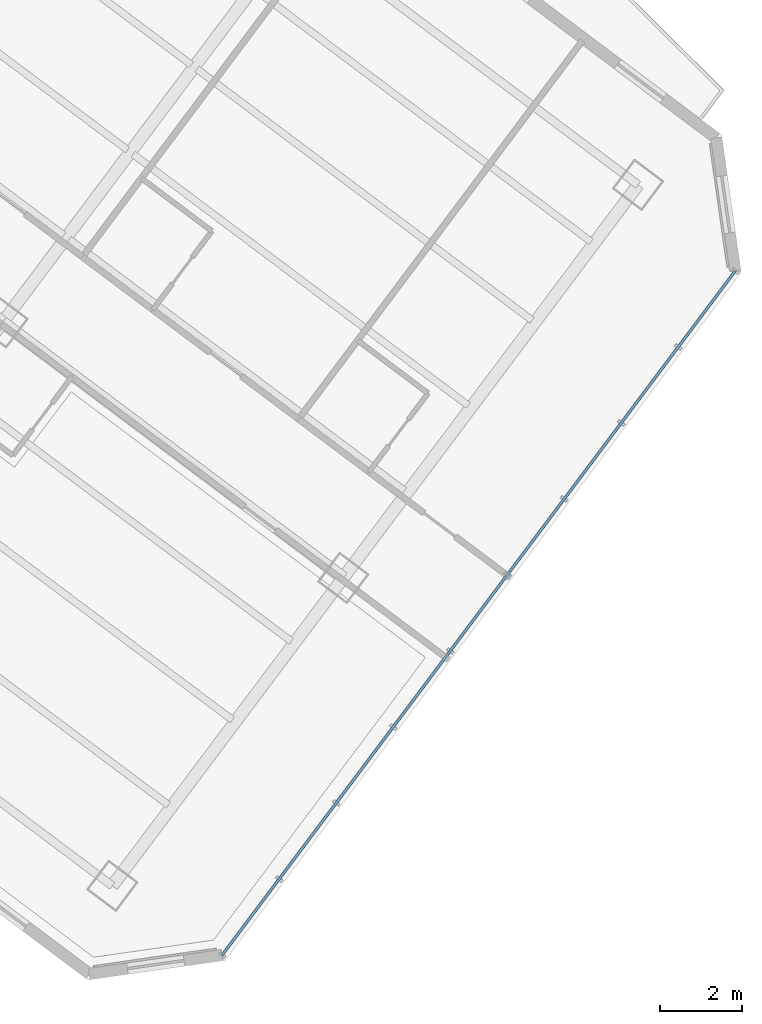
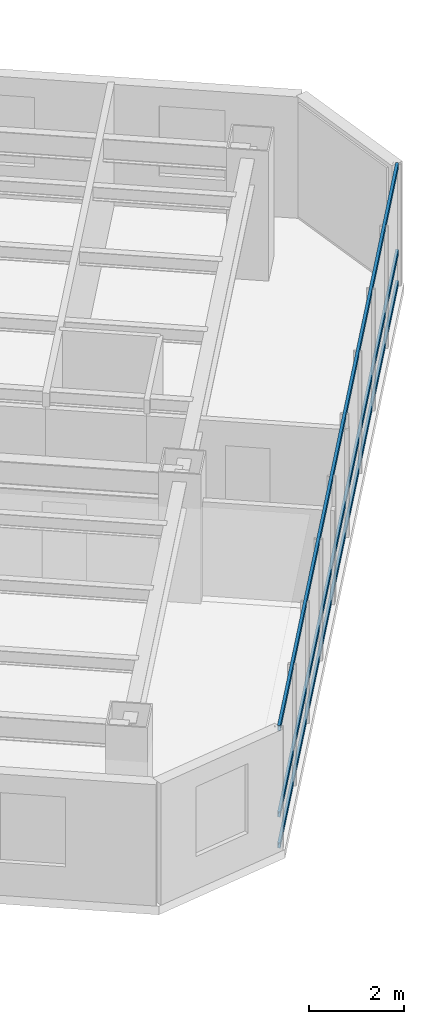
# One storey, part 9 of 31: 3 members, 1 element without a shape of its own.
"""IFC4 building model written with IfcOpenShell, lengths in metres."""

from ifc_helpers import new_model, si_unit, direction, frame, origin, origin_2d, place, context, subcontext, project, spatial, hollow_rectangle, extrude, material, layer, layer_set, material_profile, profile_set, type_object, element, aggregate, save


model = new_model("IFC4")

# Units and contexts
model_context = context("Model", 3, precision=1e-05, world=origin(), true_north=direction((0.0, 1.0)))
body_context = subcontext(model_context, "Body", "Model", "MODEL_VIEW")
ifc_project = project(units=[si_unit("LENGTHUNIT", "METRE"), si_unit("AREAUNIT", "SQUARE_METRE"), si_unit("VOLUMEUNIT", "CUBIC_METRE"), si_unit("PLANEANGLEUNIT", "RADIAN"), si_unit("MASSUNIT", "GRAM", prefix="KILO")], contexts=[model_context])

# Site, building, storey
site_placement = place(None, origin())
site = spatial("IfcSite", under=ifc_project, at=site_placement, CompositionType="ELEMENT")
building_placement = place(site_placement, origin())
building = spatial("IfcBuilding", under=site, at=building_placement, Name="Hatsunagi Terrace Concourse", CompositionType="ELEMENT")
storey_placement = place(building_placement, frame((0.0, 0.0, 77.949951171875)))
storey = spatial("IfcBuildingStorey", under=building, at=storey_placement, Name="L20", CompositionType="ELEMENT", Elevation=77.949951171875)

# Curtain wall, members
ifc_material_1 = material(Name="Anodised Aluminium Alloy 6063-T5", Category="aluminium")
ifc_layer = layer(ifc_material_1, 0.199951171875)
ifc_layer_set = layer_set([ifc_layer], Name="HotelFacade_CW02")
curtain_wall_type = type_object("IfcCurtainWallType", Name="HotelFacade_CW02", PredefinedType="NOTDEFINED", material=ifc_layer_set)
curtain_wall_placement = place(storey_placement, origin())
curtain_wall = element("IfcCurtainWall", 1, at=curtain_wall_placement, inside=storey, type_object=curtain_wall_type, Name="Unitised Curtain Wall CW-02 CW-L20-03", PredefinedType="NOTDEFINED")
ifc_material_2 = material(Name="Anodised Aluminium Alloy 6063-T5", Category="aluminium")
ifc_material_profile = material_profile(ifc_material_2, hollow_rectangle(XDim=0.06494140625, YDim=0.139892578125, WallThickness=0.00390625, at=origin_2d()), Name="ALU-TRN-140x65x4")
ifc_profile_set = profile_set([ifc_material_profile], Name="Anodised Aluminium Alloy 6063-T5")
member_type = type_object("IfcMemberType", Name="CurtainWallTransom_140x65", PredefinedType="USERDEFINED", material=ifc_profile_set)
member_1_placement = place(storey_placement, frame((69.093017578125, 19.657958984375, 0.050048828125), z_axis=(-0.599970072971, -0.800022444397, 0.0), x_axis=(0.800022444397, -0.599970072971, 0.0)))
member_1 = element("IfcMember", 2, at=member_1_placement, type_object=member_type, Name="Curtain Wall Transom TRN-02", ObjectType="TRANSOM", PredefinedType="USERDEFINED", context=body_context, shape_type="SweptSolid", body=[
    extrude(hollow_rectangle(XDim=0.06494140625, YDim=0.139892578125, WallThickness=0.00390625, at=origin_2d()), origin(), (0.0, 0.0, 1.0), 20.884521484375),
])
member_2_placement = place(storey_placement, frame((69.093017578125, 19.657958984375, 0.85009765625), z_axis=(-0.599970072971, -0.800022444397, 0.0), x_axis=(0.800022444397, -0.599970072971, 0.0)))
member_2 = element("IfcMember", 3, at=member_2_placement, type_object=member_type, Name="Curtain Wall Transom TRN-02", ObjectType="TRANSOM", PredefinedType="USERDEFINED", context=body_context, shape_type="SweptSolid", body=[
    extrude(hollow_rectangle(XDim=0.06494140625, YDim=0.139892578125, WallThickness=0.00390625, at=origin_2d()), origin(), (0.0, 0.0, 1.0), 20.884521484375),
])
member_3_placement = place(storey_placement, frame((69.093017578125, 19.657958984375, 3.080078125), z_axis=(-0.599970072971, -0.800022444397, 0.0), x_axis=(0.800022444397, -0.599970072971, 0.0)))
member_3 = element("IfcMember", 4, at=member_3_placement, type_object=member_type, Name="Curtain Wall Transom TRN-02", ObjectType="TRANSOM", PredefinedType="USERDEFINED", context=body_context, shape_type="SweptSolid", body=[
    extrude(hollow_rectangle(XDim=0.06494140625, YDim=0.139892578125, WallThickness=0.00390625, at=origin_2d()), origin(), (0.0, 0.0, 1.0), 20.884521484375),
])
aggregate(curtain_wall, [member_1, member_2, member_3])

save(model, "model.ifc")
